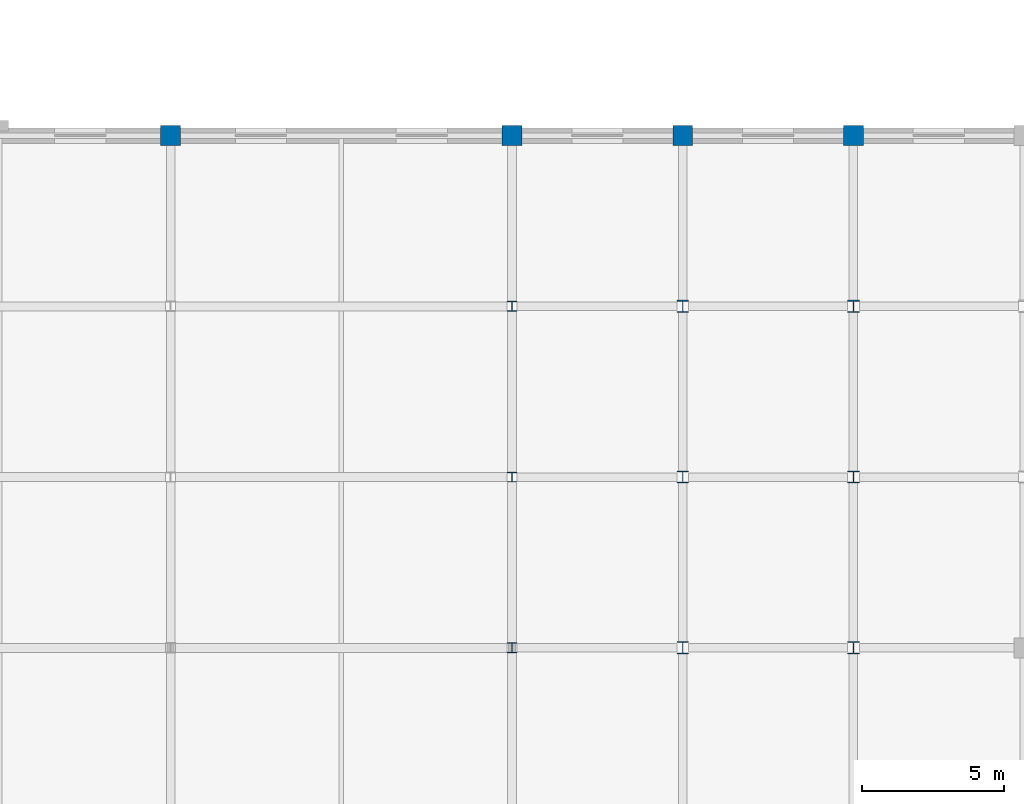
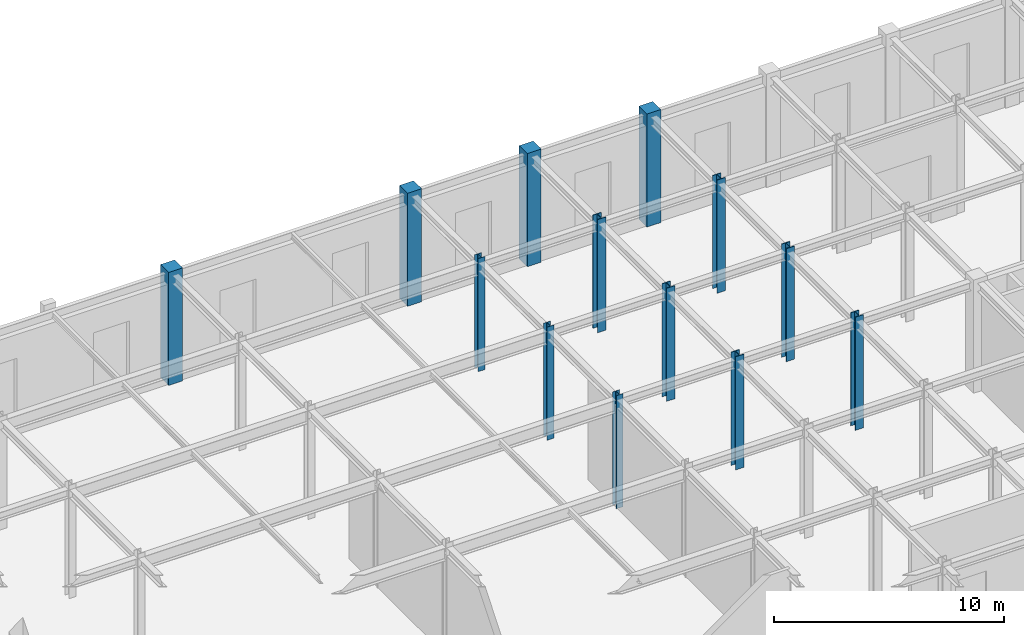
# One storey, part 16 of 51: 13 columns.
"""IFC4 building model written with IfcOpenShell, lengths in metres."""

from ifc_helpers import new_model, si_unit, direction, frame, origin, origin_2d, place, context, subcontext, project, spatial, rectangle, i_section, extrude, material, material_profile, profile_set, type_object, element, save


model = new_model("IFC4")

# Units and contexts
model_context = context("Model", 3, precision=1e-05, world=origin(), true_north=direction((0.0, 1.0)))
body_context = subcontext(model_context, "Body", "Model", "MODEL_VIEW")
ifc_project = project(units=[si_unit("LENGTHUNIT", "METRE"), si_unit("AREAUNIT", "SQUARE_METRE"), si_unit("VOLUMEUNIT", "CUBIC_METRE"), si_unit("PLANEANGLEUNIT", "RADIAN"), si_unit("MASSUNIT", "GRAM", prefix="KILO")], contexts=[model_context])

# Site, building, storey
site_placement = place(None, origin())
site = spatial("IfcSite", under=ifc_project, at=site_placement, CompositionType="ELEMENT")
building_placement = place(site_placement, origin())
building = spatial("IfcBuilding", under=site, at=building_placement, Name="Zlatovratsky Civic Hall", CompositionType="ELEMENT")
storey_placement = place(building_placement, origin())
storey = spatial("IfcBuildingStorey", under=building, at=storey_placement, Name="L01", CompositionType="ELEMENT", Elevation=0.0)

# Columns
ifc_material_1 = material(Name="Concrete C35/45 (B40)", Category="concrete")
ifc_material_profile_1 = material_profile(ifc_material_1, rectangle(XDim=0.699951171875, YDim=0.699951171875, at=origin_2d()), Name="RC 700x700")
ifc_profile_set_1 = profile_set([ifc_material_profile_1], Name="Concrete C35/45 (B40)")
column_type_1 = type_object("IfcColumnType", Name="Col_CorePier_RC700", PredefinedType="COLUMN", material=ifc_profile_set_1)
for number, where, z_axis, x_axis, name in (
    (1, (36.0, 114.0, 0.0), (0.0, 0.0, 1.0), (1.0, 0.0, 0.0), "CL-0803"),
    (2, (48.0, 114.0, 0.0), (0.0, 0.0, 1.0), (1.0, 0.0, 0.0), "CL-0804"),
    (3, (54.0, 114.0, 0.0), (0.0, 0.0, 1.0), (1.0, 0.0, 0.0), "CL-0805"),
    (4, (60.0, 114.0, 0.0), (0.0, 0.0, 1.0), (1.0, 0.0, 0.0), "CL-0806"),
):
    element("IfcColumn", number, at=place(storey_placement, frame(where, z_axis=z_axis, x_axis=x_axis)), inside=storey, type_object=column_type_1, Name=name, PredefinedType="COLUMN", context=body_context, shape_type="SweptSolid", body=[
        extrude(rectangle(XDim=0.699951171875, YDim=0.699951171875, at=origin_2d()), origin(), (0.0, 0.0, 1.0), 6.0),
    ])
ifc_material_2 = material(Name="Steel S355", Category="steel")
ifc_material_profile_2 = material_profile(ifc_material_2, i_section(OverallWidth=0.35009765625, OverallDepth=0.343017578125, WebThickness=0.010009765625, FlangeThickness=0.014892578125, FilletRadius=0.02001953125, at=origin_2d()), Name="35K1")
ifc_profile_set_2 = profile_set([ifc_material_profile_2], Name="Steel S355")
column_type_2 = type_object("IfcColumnType", Name="Col_Steel_35K1", PredefinedType="COLUMN", material=ifc_profile_set_2)
for number, where, z_axis, x_axis, name in (
    (5, (48.0, 96.0, 0.0), (0.0, 0.0, 1.0), (1.0, 0.0, 0.0), "CL-0735"),
    (6, (48.0, 102.0, 0.0), (0.0, 0.0, 1.0), (1.0, 0.0, 0.0), "CL-0758"),
    (7, (48.0, 108.0, 0.0), (0.0, 0.0, 1.0), (1.0, 0.0, 0.0), "CL-0781"),
):
    element("IfcColumn", number, at=place(storey_placement, frame(where, z_axis=z_axis, x_axis=x_axis)), inside=storey, type_object=column_type_2, Name=name, PredefinedType="COLUMN", context=body_context, shape_type="SweptSolid", body=[
        extrude(i_section(OverallWidth=0.35009765625, OverallDepth=0.343017578125, WebThickness=0.010009765625, FlangeThickness=0.014892578125, FilletRadius=0.02001953125, at=origin_2d()), origin(), (0.0, 0.0, 1.0), 6.0),
    ])
ifc_material_profile_3 = material_profile(ifc_material_2, i_section(OverallWidth=0.408935546875, OverallDepth=0.428955078125, WebThickness=0.02392578125, FlangeThickness=0.035400390625, FilletRadius=0.02197265625, at=origin_2d()), Name="40K5")
ifc_profile_set_3 = profile_set([ifc_material_profile_3], Name="Steel S355")
column_type_3 = type_object("IfcColumnType", Name="Col_Steel_40K5", PredefinedType="COLUMN", material=ifc_profile_set_3)
for number, where, z_axis, x_axis, name in (
    (8, (54.0, 96.0, 0.0), (0.0, 0.0, 1.0), (1.0, 0.0, 0.0), "CL-0736"),
    (9, (60.0, 96.0, 0.0), (0.0, 0.0, 1.0), (1.0, 0.0, 0.0), "CL-0737"),
    (10, (54.0, 102.0, 0.0), (0.0, 0.0, 1.0), (1.0, 0.0, 0.0), "CL-0759"),
    (11, (60.0, 102.0, 0.0), (0.0, 0.0, 1.0), (1.0, 0.0, 0.0), "CL-0760"),
    (12, (54.0, 108.0, 0.0), (0.0, 0.0, 1.0), (1.0, 0.0, 0.0), "CL-0782"),
    (13, (60.0, 108.0, 0.0), (0.0, 0.0, 1.0), (1.0, 0.0, 0.0), "CL-0783"),
):
    element("IfcColumn", number, at=place(storey_placement, frame(where, z_axis=z_axis, x_axis=x_axis)), inside=storey, type_object=column_type_3, Name=name, PredefinedType="COLUMN", context=body_context, shape_type="SweptSolid", body=[
        extrude(i_section(OverallWidth=0.408935546875, OverallDepth=0.428955078125, WebThickness=0.02392578125, FlangeThickness=0.035400390625, FilletRadius=0.02197265625, at=origin_2d()), origin(), (0.0, 0.0, 1.0), 6.0),
    ])

save(model, "model.ifc")
